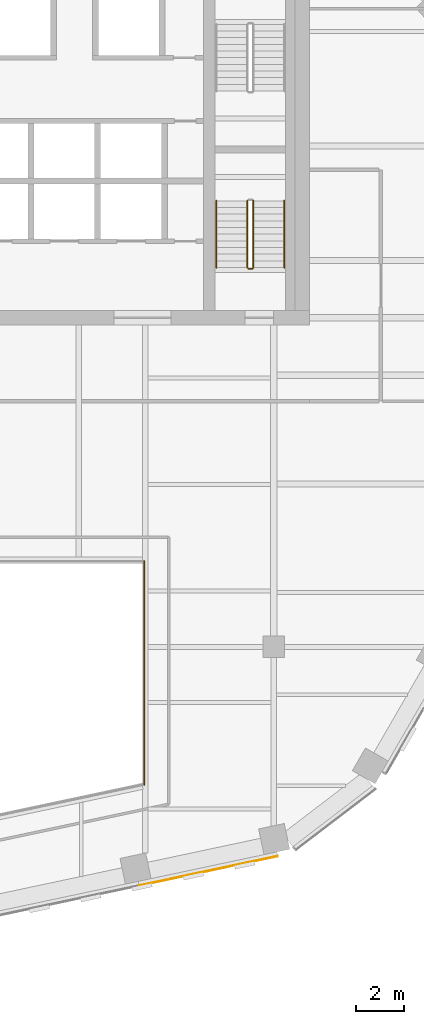
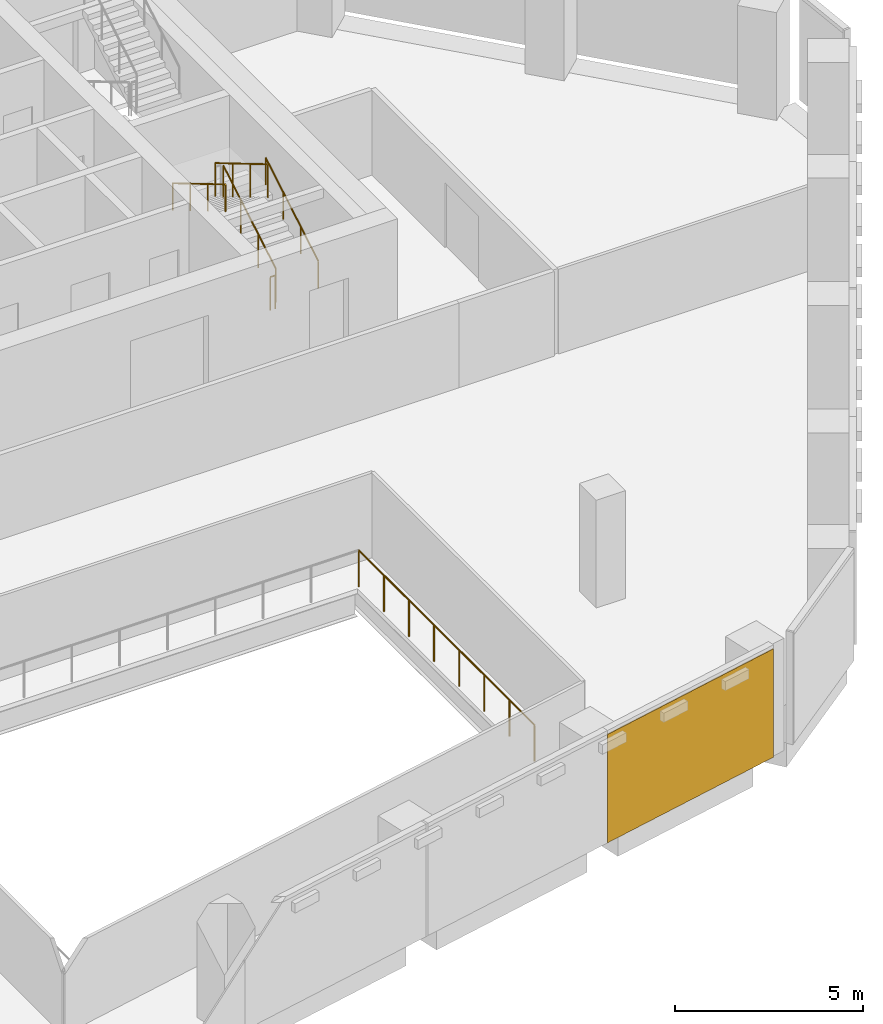
# One storey, part 14 of 16: 6 railings, 1 covering, 1 element without a shape of its own.
"""IFC4 building model written with IfcOpenShell, lengths in metres."""

import ifcopenshell
import ifcopenshell.guid

model = None  # the IFC model being written
_history = None  # IfcOwnerHistory: only IFC2X3 demands one
_inside = {}  # id of a spatial element -> (the spatial element, [elements in it])
_under = {}  # id of a project, library or spatial element -> (it, [spatial elements below it])
_declared = {}  # id of a project -> (the project, [libraries it declares])
_typed = {}  # id of a type object -> (the type object, [elements of that type])
_made_of = {}  # id of a material, layer set ... -> (it, [elements and type objects made of it])


def new_model(schema):
    """Start an empty IFC model of exactly this schema.

    Asked for "IFC4X3", IfcOpenShell would pick the latest addendum, in which some entities
    have other attributes; the version numbers below select the first issue.
    IFC2X3 requires an IfcOwnerHistory on every rooted entity: one is made here for all.
    """
    global model, _history
    if schema == "IFC4X3":
        model = ifcopenshell.file(schema_version=(4, 3, 0, 0))
    else:
        model = ifcopenshell.file(schema=schema)
    _inside.clear()
    _under.clear()
    _declared.clear()
    _typed.clear()
    _made_of.clear()
    _history = None
    if model.schema == "IFC2X3":
        org = make("IfcOrganization", Name="unknown")
        user = make(
            "IfcPersonAndOrganization",
            ThePerson=make("IfcPerson", FamilyName="unknown"),
            TheOrganization=org,
        )
        app = make(
            "IfcApplication",
            ApplicationDeveloper=org,
            Version="unknown",
            ApplicationFullName="unknown",
            ApplicationIdentifier="unknown",
        )
        _history = make(
            "IfcOwnerHistory",
            OwningUser=user,
            OwningApplication=app,
            ChangeAction="ADDED",
            CreationDate=0,
        )
    return model


def make(cls, **values):
    """One entity of the class cls with the attributes given. An attribute that is None is left unset."""
    return model.create_entity(
        cls, **{name: value for name, value in values.items() if value is not None}
    )


def rooted(cls, **values):
    """An entity with a GlobalId (a new one), such as an element, a storey or a relation."""
    return make(cls, GlobalId=ifcopenshell.guid.new(), OwnerHistory=_history, **values)


def si_unit(unit_type, name, prefix=None):
    """IfcSIUnit, for example si_unit("LENGTHUNIT", "METRE", prefix="MILLI")."""
    return make("IfcSIUnit", UnitType=unit_type, Prefix=prefix, Name=name)


def assignment(units):
    """IfcUnitAssignment: the units of a project."""
    return None if units is None else make("IfcUnitAssignment", Units=units)


def point(xyz):
    """IfcCartesianPoint."""
    return None if xyz is None else make("IfcCartesianPoint", Coordinates=xyz)


def direction(xyz):
    """IfcDirection."""
    return None if xyz is None else make("IfcDirection", DirectionRatios=xyz)


def frame(location, z_axis=None, x_axis=None):
    """IfcAxis2Placement3D, a coordinate frame: its origin and axes. An axis left out is left unset."""
    return make(
        "IfcAxis2Placement3D",
        Location=point(location),
        Axis=direction(z_axis),
        RefDirection=direction(x_axis),
    )


def frame_2d(location, x_axis=None):
    """IfcAxis2Placement2D, a coordinate frame in the plane: its origin and x axis."""
    return make(
        "IfcAxis2Placement2D", Location=point(location), RefDirection=direction(x_axis)
    )


def origin():
    """The frame at (0, 0, 0) with its axes left unset."""
    return frame((0.0, 0.0, 0.0))


def origin_2d():
    """The frame at (0, 0) in the plane with its x axis left unset."""
    return frame_2d((0.0, 0.0))


def place(relative_to, where):
    """IfcLocalPlacement: puts the frame where relative to a parent placement (None: the world)."""
    return make(
        "IfcLocalPlacement", PlacementRelTo=relative_to, RelativePlacement=where
    )


def context(
    kind, dimensions, precision=None, world=None, true_north=None, identifier=None
):
    """IfcGeometricRepresentationContext, for example the 3D "Model" context."""
    return make(
        "IfcGeometricRepresentationContext",
        ContextIdentifier=identifier,
        ContextType=kind,
        CoordinateSpaceDimension=dimensions,
        Precision=precision,
        WorldCoordinateSystem=world,
        TrueNorth=true_north,
    )


def subcontext(parent, identifier, kind, view, scale=None):
    """IfcGeometricRepresentationSubContext, for example "Body" below "Model"."""
    return make(
        "IfcGeometricRepresentationSubContext",
        ContextIdentifier=identifier,
        ContextType=kind,
        ParentContext=parent,
        TargetScale=scale,
        TargetView=view,
    )


def project(units=None, contexts=None):
    """IfcProject with its units and contexts."""
    return rooted(
        "IfcProject",
        Name="project",
        RepresentationContexts=contexts,
        UnitsInContext=assignment(units),
    )


def spatial(cls, under=None, at=None, **own):
    """A site, building, storey or space (cls), placed at a placement, below another one or the project."""
    s = rooted(cls, ObjectPlacement=at, **own)
    if under is not None:
        _under.setdefault(under.id(), (under, []))[1].append(s)
    return s


def profile(cls, at=None, kind="AREA", **sizes):
    """A parametric profile (cls). Its sizes go by their IFC names, for example OverallWidth=200.0."""
    return make(cls, ProfileType=kind, Position=at, **sizes)


def rectangle(**sizes):
    """IfcRectangleProfileDef."""
    return profile("IfcRectangleProfileDef", **sizes)


def circle(**sizes):
    """IfcCircleProfileDef."""
    return profile("IfcCircleProfileDef", **sizes)


def extrude(swept, where, along, depth):
    """IfcExtrudedAreaSolid: the profile swept, set in the frame where, extruded along a direction by depth."""
    return make(
        "IfcExtrudedAreaSolid",
        SweptArea=swept,
        Position=where,
        ExtrudedDirection=direction(along),
        Depth=depth,
    )


def shape(context_of_items, identifier, shape_type, items):
    """IfcShapeRepresentation: the items that make up one representation, for example the "Body"."""
    return make(
        "IfcShapeRepresentation",
        ContextOfItems=context_of_items,
        RepresentationIdentifier=identifier,
        RepresentationType=shape_type,
        Items=items,
    )


def material(Name=None, Category=None):
    """IfcMaterial."""
    return make("IfcMaterial", Name=Name, Category=Category)


def layer(
    of_material, thickness, ventilated=None, Name=None, Category=None, Priority=None
):
    """IfcMaterialLayer: one layer of a wall or slab, of a material (None: an air gap)."""
    return make(
        "IfcMaterialLayer",
        Material=of_material,
        LayerThickness=thickness,
        IsVentilated=ventilated,
        Name=Name,
        Category=Category,
        Priority=Priority,
    )


def layer_set(layers, Name=None):
    """IfcMaterialLayerSet."""
    return make("IfcMaterialLayerSet", MaterialLayers=layers, LayerSetName=Name)


def made_of(thing, what):
    """Note that an element or type object is made of a material, layer set ...; save() writes the relation."""
    if what is not None:
        _made_of.setdefault(what.id(), (what, []))[1].append(thing)
    return thing


def type_object(cls, material=None, **own):
    """A type object (cls), such as IfcWallType, which elements share."""
    return made_of(rooted(cls, **own), material)


def element(
    cls,
    number,
    at=None,
    inside=None,
    cuts=None,
    type_object=None,
    material=None,
    context=None,
    identifier="Body",
    shape_type=None,
    held_by="IfcProductDefinitionShape",
    body=None,
    shapes=None,
    **own,
):
    """One element of the class cls, such as IfcWall. Its Tag is "e" and its number.

    at: its placement. inside: the storey or other place that contains it. cuts: it is an
    opening in that element (IfcRelVoidsElement). A single representation is given by context,
    identifier, shape_type and body (its items); several are given by shapes. held_by: the class
    of the entity that holds the representations. save() writes the other relations.
    """
    e = rooted(cls, Tag="e%d" % number, ObjectPlacement=at, **own)
    if body is not None:
        shapes = [shape(context, identifier, shape_type, body)]
    if shapes is not None:
        e.Representation = make(held_by, Representations=shapes)
    if inside is not None:
        _inside.setdefault(inside.id(), (inside, []))[1].append(e)
    if cuts is not None:
        rooted(
            "IfcRelVoidsElement", RelatingBuildingElement=cuts, RelatedOpeningElement=e
        )
    if type_object is not None:
        _typed.setdefault(type_object.id(), (type_object, []))[1].append(e)
    return made_of(e, material)


def aggregate(whole, parts):
    """IfcRelAggregates: a whole, such as a stair, and the parts it consists of."""
    return rooted("IfcRelAggregates", RelatingObject=whole, RelatedObjects=parts)


def save(model, path):
    """Write the relations noted so far, then the file.

    IfcRelAggregates (storeys below a building ...), IfcRelContainedInSpatialStructure (elements
    in a storey), IfcRelDefinesByType, IfcRelAssociatesMaterial and IfcRelDeclares: one each for
    every whole, place, type object, material and project.
    """
    for whole, parts in _under.values():
        aggregate(whole, parts)
    for where, things in _inside.values():
        rooted(
            "IfcRelContainedInSpatialStructure",
            RelatedElements=things,
            RelatingStructure=where,
        )
    for kind, things in _typed.values():
        rooted("IfcRelDefinesByType", RelatedObjects=things, RelatingType=kind)
    for what, things in _made_of.values():
        rooted("IfcRelAssociatesMaterial", RelatedObjects=things, RelatingMaterial=what)
    for by, libraries in _declared.values():
        rooted("IfcRelDeclares", RelatingContext=by, RelatedDefinitions=libraries)
    model.write(path)


model = new_model("IFC4")

# Units and contexts
model_context = context("Model", 3, precision=1e-05, world=origin(), true_north=direction((0.0, 1.0)))
body_context = subcontext(model_context, "Body", "Model", "MODEL_VIEW")
ifc_project = project(units=[si_unit("LENGTHUNIT", "METRE"), si_unit("AREAUNIT", "SQUARE_METRE"), si_unit("VOLUMEUNIT", "CUBIC_METRE"), si_unit("PLANEANGLEUNIT", "RADIAN"), si_unit("MASSUNIT", "GRAM", prefix="KILO")], contexts=[model_context])

# Site, building, storey
site_placement = place(None, origin())
site = spatial("IfcSite", under=ifc_project, at=site_placement, CompositionType="ELEMENT")
building_placement = place(site_placement, origin())
building = spatial("IfcBuilding", under=site, at=building_placement, Name="Isthmus Gate Tower", CompositionType="ELEMENT")
storey_placement = place(building_placement, frame((0.0, 0.0, 216.300048828125)))
storey = spatial("IfcBuildingStorey", under=building, at=storey_placement, Name="L54", CompositionType="ELEMENT", Elevation=216.300048828125)

# Railing
ifc_material_1 = material(Name="Laminated toughened glass balustrade with steel rail", Category="steel")
railing_type_1 = type_object("IfcRailingType", Name="ATRIUM GUARD GLASS BALUSTRADE 1200", PredefinedType="GUARDRAIL", material=ifc_material_1)
railing_1_placement = place(storey_placement, frame((8.080078125, -9.919921875, 0.0)))
element("IfcRailing", 1, at=railing_1_placement, inside=storey, type_object=railing_type_1, Name="L54 atrium guard", PredefinedType="GUARDRAIL", context=body_context, shape_type="SweptSolid", body=[
    extrude(circle(Radius=0.02490234375, at=origin_2d()), frame((0.0, 0.0, 1.1748046875), z_axis=(0.0, -1.0, 0.0), x_axis=(1.0, 0.0, 0.0)), (0.0, 0.0, 1.0), 9.35498046875),
    extrude(circle(Radius=0.02490234375, at=origin_2d()), origin(), (0.0, 0.0, 1.0), 1.14990234375),
    extrude(circle(Radius=0.02490234375, at=origin_2d()), frame((0.0, -1.33642578125, 0.0)), (0.0, 0.0, 1.0), 1.14990234375),
    extrude(circle(Radius=0.02490234375, at=origin_2d()), frame((0.0, -2.6728515625, 0.0)), (0.0, 0.0, 1.0), 1.14990234375),
    extrude(circle(Radius=0.02490234375, at=origin_2d()), frame((0.0, -4.00927734375, 0.0)), (0.0, 0.0, 1.0), 1.14990234375),
    extrude(circle(Radius=0.02490234375, at=origin_2d()), frame((0.0, -5.345703125, 0.0)), (0.0, 0.0, 1.0), 1.14990234375),
    extrude(circle(Radius=0.02490234375, at=origin_2d()), frame((0.0, -6.68212890625, 0.0)), (0.0, 0.0, 1.0), 1.14990234375),
    extrude(circle(Radius=0.02490234375, at=origin_2d()), frame((0.0, -8.0185546875, 0.0)), (0.0, 0.0, 1.0), 1.14990234375),
    extrude(circle(Radius=0.02490234375, at=origin_2d()), frame((0.0, -9.35498046875, 0.0)), (0.0, 0.0, 1.0), 1.14990234375),
])

# Curtain wall, covering
ifc_material_2 = material(Name="Aluminium, pale champagne anodised", Category="aluminium")
ifc_layer_1 = layer(ifc_material_2, 0.199951171875)
ifc_layer_set_1 = layer_set([ifc_layer_1], Name="CW-1 UNITISED CURTAIN WALL 200 DEEP")
curtain_wall_type = type_object("IfcCurtainWallType", Name="CW-1 UNITISED CURTAIN WALL 200 DEEP", PredefinedType="NOTDEFINED", material=ifc_layer_set_1)
curtain_wall_placement = place(storey_placement, origin())
curtain_wall = element("IfcCurtainWall", 2, at=curtain_wall_placement, inside=storey, type_object=curtain_wall_type, Name="CW-1 S L54", PredefinedType="NOTDEFINED")
ifc_material_3 = material(Name="Aluminium composite panel, pale champagne anodised", Category="aluminium")
ifc_layer_2 = layer(ifc_material_3, 0.031982421875)
ifc_layer_set_2 = layer_set([ifc_layer_2], Name="CW-1 PALE METAL PANEL 32")
covering_type = type_object("IfcCoveringType", Name="CW-1 PALE METAL PANEL 32", PredefinedType="CLADDING", material=ifc_layer_set_2)
covering_placement = place(storey_placement, frame((10.7685546875, -22.899169921875, 0.0), z_axis=(0.0, 0.0, 1.0), x_axis=(0.978147600734, 0.207911690818, 0.0)))
covering = element("IfcCovering", 3, at=covering_placement, type_object=covering_type, Name="CW-1 pale metal panel", PredefinedType="CLADDING", context=body_context, shape_type="SweptSolid", body=[
    extrude(rectangle(XDim=5.94189453125, YDim=0.031982421875, at=origin_2d()), origin(), (0.0, 0.0, 1.0), 3.52001953125),
])
aggregate(curtain_wall, [covering])

# Railings
ifc_material_4 = material(Name="Stainless steel balustrade", Category="steel")
railing_type_2 = type_object("IfcRailingType", Name="STAIR GUARD 1100", PredefinedType="GUARDRAIL", material=ifc_material_4)
railing_2_placement = place(storey_placement, frame((12.64990234375, 2.39990234375, 0.165771484375)))
element("IfcRailing", 4, at=railing_2_placement, inside=storey, type_object=railing_type_2, Name="L54 ST8 stair guard 1", PredefinedType="GUARDRAIL", context=body_context, shape_type="SweptSolid", body=[
    extrude(circle(Radius=0.02392578125, at=origin_2d()), frame((0.0, 0.0, 1.076171875), z_axis=(0.0, 0.860306154799, 0.50977771628), x_axis=(-1.0, 0.0, 0.0)), (0.0, 0.0, 1.0), 3.254638671875),
    extrude(circle(Radius=0.02099609375, at=origin_2d()), origin(), (0.0, 0.0, 1.0), 1.052001953125),
    extrude(circle(Radius=0.02099609375, at=origin_2d()), frame((0.0, 0.933349609375, 0.552978515625)), (0.0, 0.0, 1.0), 1.052001953125),
    extrude(circle(Radius=0.02099609375, at=origin_2d()), frame((0.0, 1.86669921875, 1.106201171875)), (0.0, 0.0, 1.0), 1.052001953125),
    extrude(circle(Radius=0.02099609375, at=origin_2d()), frame((0.0, 2.800048828125, 1.6591796875)), (0.0, 0.0, 1.0), 1.052001953125),
])
railing_3_placement = place(storey_placement, frame((12.39990234375, 5.199951171875, 1.990966796875)))
element("IfcRailing", 5, at=railing_3_placement, inside=storey, type_object=railing_type_2, Name="L54 ST8 stair guard 3", PredefinedType="GUARDRAIL", context=body_context, shape_type="SweptSolid", body=[
    extrude(circle(Radius=0.02392578125, at=origin_2d()), frame((0.0, 0.0, 1.076171875), z_axis=(0.0, -0.860339051648, 0.50972219513), x_axis=(1.0, 0.0, 0.0)), (0.0, 0.0, 1.0), 3.254638671875),
    extrude(circle(Radius=0.02099609375, at=origin_2d()), origin(), (0.0, 0.0, 1.0), 1.052001953125),
    extrude(circle(Radius=0.02099609375, at=origin_2d()), frame((0.0, -0.933349609375, 0.552978515625)), (0.0, 0.0, 1.0), 1.052001953125),
    extrude(circle(Radius=0.02099609375, at=origin_2d()), frame((0.0, -1.86669921875, 1.10595703125)), (0.0, 0.0, 1.0), 1.052001953125),
    extrude(circle(Radius=0.02099609375, at=origin_2d()), frame((0.0, -2.800048828125, 1.658935546875)), (0.0, 0.0, 1.0), 1.052001953125),
])
railing_4_placement = place(storey_placement, frame((12.60009765625, 2.35009765625, 0.0)))
element("IfcRailing", 6, at=railing_4_placement, inside=storey, type_object=railing_type_2, Name="L54 ST8 stair guard 4", PredefinedType="GUARDRAIL", context=body_context, shape_type="SweptSolid", body=[
    extrude(circle(Radius=0.02392578125, at=origin_2d()), frame((0.0, 0.0, 1.076171875), z_axis=(-1.0, 0.0, 0.0), x_axis=(0.0, -1.0, 0.0)), (0.0, 0.0, 1.0), 0.150146484375),
    extrude(circle(Radius=0.02099609375, at=origin_2d()), origin(), (0.0, 0.0, 1.0), 1.052001953125),
    extrude(circle(Radius=0.02099609375, at=origin_2d()), frame((-0.150146484375, 0.0, 0.0)), (0.0, 0.0, 1.0), 1.052001953125),
])
ifc_material_5 = material(Name="Stainless steel handrail", Category="steel")
railing_type_3 = type_object("IfcRailingType", Name="STAIR HANDRAIL 900", PredefinedType="HANDRAIL", material=ifc_material_5)
railing_5_placement = place(storey_placement, frame((13.949951171875, 2.39990234375, 0.165771484375)))
element("IfcRailing", 7, at=railing_5_placement, inside=storey, type_object=railing_type_3, Name="L54 ST8 stair handrail 1", PredefinedType="HANDRAIL", context=body_context, shape_type="SweptSolid", body=[
    extrude(circle(Radius=0.02392578125, at=origin_2d()), frame((0.0, 0.0, 0.8759765625), z_axis=(0.0, 0.860306154799, 0.50977771628), x_axis=(-1.0, 0.0, 0.0)), (0.0, 0.0, 1.0), 3.254638671875),
    extrude(circle(Radius=0.02099609375, at=origin_2d()), origin(), (0.0, 0.0, 1.0), 0.851806640625),
    extrude(circle(Radius=0.02099609375, at=origin_2d()), frame((0.0, 0.933349609375, 0.552978515625)), (0.0, 0.0, 1.0), 0.851806640625),
    extrude(circle(Radius=0.02099609375, at=origin_2d()), frame((0.0, 1.86669921875, 1.106201171875)), (0.0, 0.0, 1.0), 0.851806640625),
    extrude(circle(Radius=0.02099609375, at=origin_2d()), frame((0.0, 2.800048828125, 1.6591796875)), (0.0, 0.0, 1.0), 0.851806640625),
])
railing_6_placement = place(storey_placement, frame((11.10009765625, 5.199951171875, 1.990966796875)))
element("IfcRailing", 8, at=railing_6_placement, inside=storey, type_object=railing_type_3, Name="L54 ST8 stair handrail 2", PredefinedType="HANDRAIL", context=body_context, shape_type="SweptSolid", body=[
    extrude(circle(Radius=0.02392578125, at=origin_2d()), frame((0.0, 0.0, 0.8759765625), z_axis=(0.0, -0.860339051648, 0.50972219513), x_axis=(1.0, 0.0, 0.0)), (0.0, 0.0, 1.0), 3.254638671875),
    extrude(circle(Radius=0.02099609375, at=origin_2d()), origin(), (0.0, 0.0, 1.0), 0.851806640625),
    extrude(circle(Radius=0.02099609375, at=origin_2d()), frame((0.0, -0.933349609375, 0.552978515625)), (0.0, 0.0, 1.0), 0.851806640625),
    extrude(circle(Radius=0.02099609375, at=origin_2d()), frame((0.0, -1.86669921875, 1.10595703125)), (0.0, 0.0, 1.0), 0.851806640625),
    extrude(circle(Radius=0.02099609375, at=origin_2d()), frame((0.0, -2.800048828125, 1.658935546875)), (0.0, 0.0, 1.0), 0.851806640625),
])

save(model, "model.ifc")
